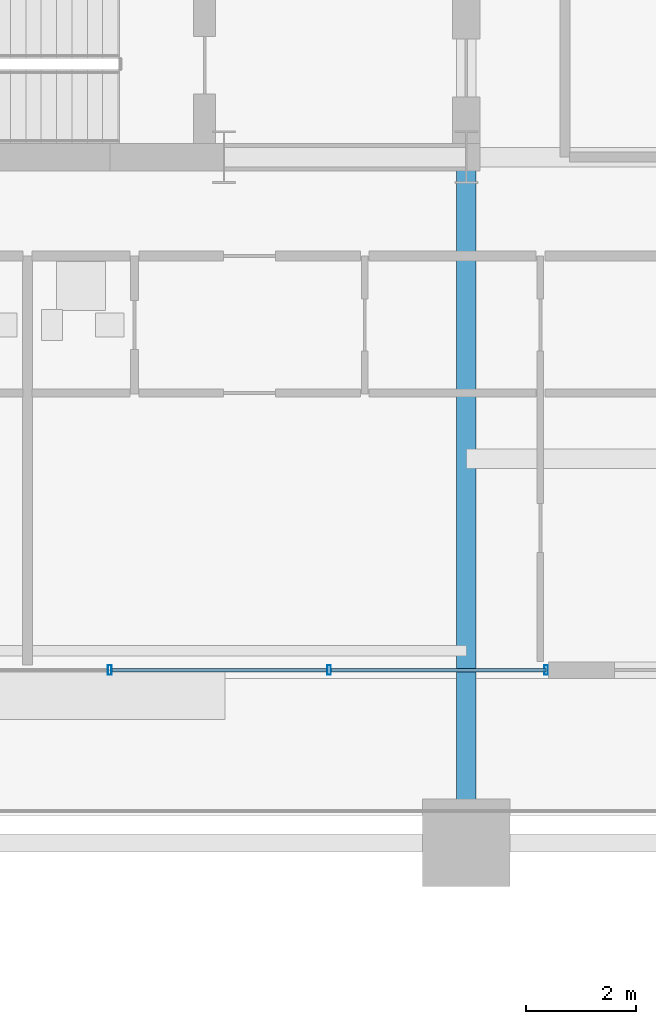
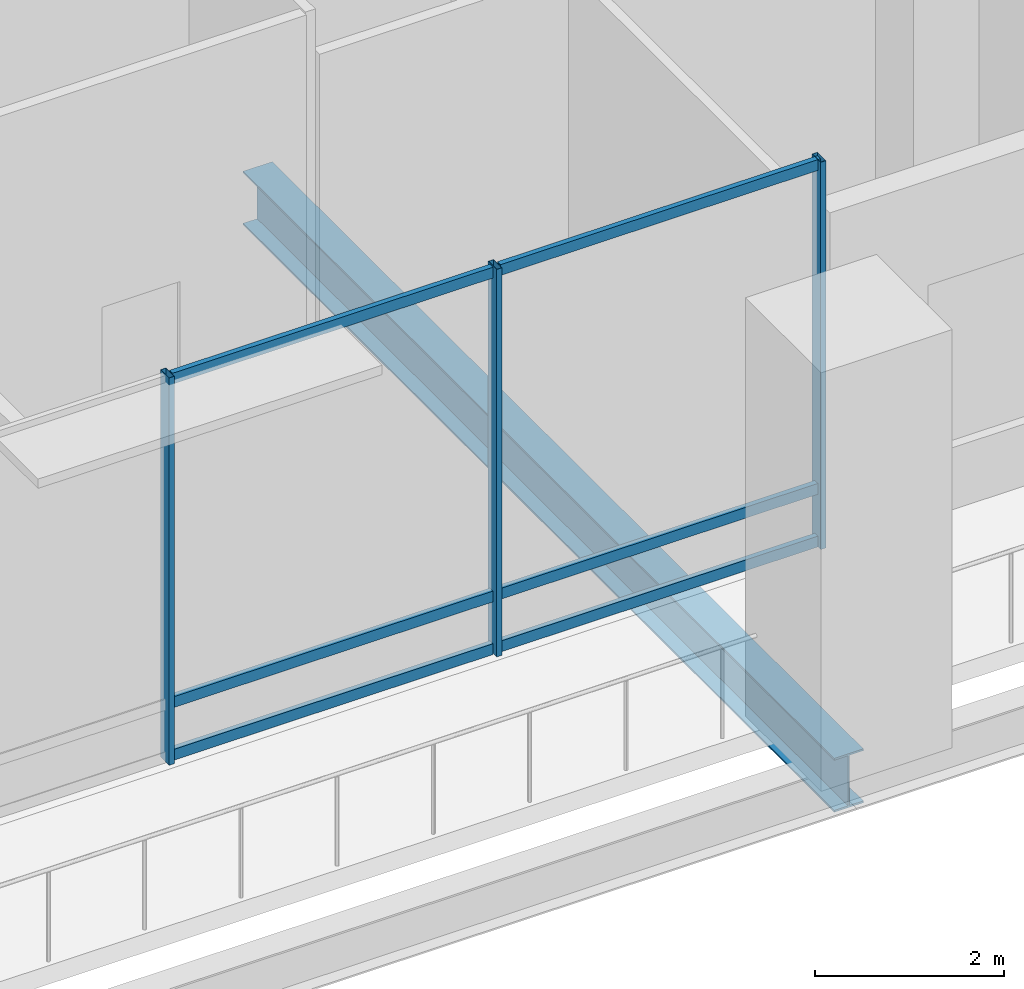
# One storey, part 6 of 25: 9 members, 1 beam, 1 element without a shape of its own.
"""IFC4 building model written with IfcOpenShell, lengths in metres."""

from ifc_helpers import new_model, si_unit, direction, frame, origin, origin_2d, place, context, subcontext, project, spatial, hollow_rectangle, i_section, extrude, material, layer, layer_set, material_profile, profile_set, type_object, element, aggregate, save


model = new_model("IFC4")

# Units and contexts
model_context = context("Model", 3, precision=1e-05, world=origin(), true_north=direction((0.0, 1.0)))
body_context = subcontext(model_context, "Body", "Model", "MODEL_VIEW")
ifc_project = project(units=[si_unit("LENGTHUNIT", "METRE"), si_unit("AREAUNIT", "SQUARE_METRE"), si_unit("VOLUMEUNIT", "CUBIC_METRE"), si_unit("PLANEANGLEUNIT", "RADIAN"), si_unit("MASSUNIT", "GRAM", prefix="KILO")], contexts=[model_context])

# Site, building, storey
site_placement = place(None, origin())
site = spatial("IfcSite", under=ifc_project, at=site_placement, CompositionType="ELEMENT")
building_placement = place(site_placement, origin())
building = spatial("IfcBuilding", under=site, at=building_placement, Name="Barlavira Tower and Art Museum", CompositionType="ELEMENT")
storey_placement = place(building_placement, frame((0.0, 0.0, 22.199951171875)))
storey = spatial("IfcBuildingStorey", under=building, at=storey_placement, Name="L04", CompositionType="ELEMENT", Elevation=22.199951171875)

# Curtain wall, members
ifc_material_1 = material(Name="Low-iron coastal laminated glass", Category="glass")
ifc_layer = layer(ifc_material_1, 0.179931640625, Name="Low-iron coastal laminated glass")
ifc_layer_set = layer_set([ifc_layer], Name="Low-iron coastal laminated glass")
curtain_wall_type = type_object("IfcCurtainWallType", Name="Pale-Metal Unitised Curtain Wall Zone 1", PredefinedType="NOTDEFINED", material=ifc_layer_set)
curtain_wall_placement = place(storey_placement, origin())
curtain_wall = element("IfcCurtainWall", 1, at=curtain_wall_placement, inside=storey, type_object=curtain_wall_type, Name="L04 Curtain Wall CW1-L04-S", PredefinedType="NOTDEFINED")
ifc_material_2 = material(Name="Pale anodised aluminium", Category="aluminium")
ifc_material_profile_1 = material_profile(ifc_material_2, hollow_rectangle(XDim=0.06494140625, YDim=0.179931640625, WallThickness=0.00390625, at=origin_2d()), Name="ALU-MULL 65x180x4")
ifc_profile_set_1 = profile_set([ifc_material_profile_1], Name="Pale anodised aluminium")
member_type_1 = type_object("IfcMemberType", Name="Curtain Wall Pale-Metal Mullion 65x180", PredefinedType="MULLION", material=ifc_profile_set_1)
member_1_placement = place(storey_placement, frame((0.0, -16.85009765625, 0.0), z_axis=(0.0, 0.0, 1.0), x_axis=(1.0, 0.0, 0.0)))
member_1 = element("IfcMember", 2, at=member_1_placement, type_object=member_type_1, Name="CW1-L04-S Mullion 2", PredefinedType="MULLION", context=body_context, shape_type="SweptSolid", body=[
    extrude(hollow_rectangle(XDim=0.06494140625, YDim=0.179931640625, WallThickness=0.00390625, at=origin_2d()), origin(), (0.0, 0.0, 1.0), 5.0),
])
member_2_placement = place(storey_placement, frame((4.0, -16.85009765625, 0.0), z_axis=(0.0, 0.0, 1.0), x_axis=(1.0, 0.0, 0.0)))
member_2 = element("IfcMember", 3, at=member_2_placement, type_object=member_type_1, Name="CW1-L04-S Mullion 3", PredefinedType="MULLION", context=body_context, shape_type="SweptSolid", body=[
    extrude(hollow_rectangle(XDim=0.06494140625, YDim=0.179931640625, WallThickness=0.00390625, at=origin_2d()), origin(), (0.0, 0.0, 1.0), 5.0),
])
member_3_placement = place(storey_placement, frame((7.955078125, -16.85009765625, 0.0), z_axis=(0.0, 0.0, 1.0), x_axis=(1.0, 0.0, 0.0)))
member_3 = element("IfcMember", 4, at=member_3_placement, type_object=member_type_1, Name="CW1-L04-S Mullion 4", PredefinedType="MULLION", context=body_context, shape_type="SweptSolid", body=[
    extrude(hollow_rectangle(XDim=0.06494140625, YDim=0.179931640625, WallThickness=0.00390625, at=origin_2d()), origin(), (0.0, 0.0, 1.0), 5.0),
])
ifc_material_profile_2 = material_profile(ifc_material_2, hollow_rectangle(XDim=0.06494140625, YDim=0.139892578125, WallThickness=0.00390625, at=origin_2d()), Name="ALU-TRAN 65x140x4")
ifc_profile_set_2 = profile_set([ifc_material_profile_2], Name="Pale anodised aluminium")
member_type_2 = type_object("IfcMemberType", Name="Curtain Wall Pale-Metal Transom 65x140", PredefinedType="USERDEFINED", material=ifc_profile_set_2)
member_4_placement = place(storey_placement, frame((0.044921875, -16.85009765625, 0.070068359375), z_axis=(1.0, 0.0, 0.0), x_axis=(0.0, 1.0, 0.0)))
member_4 = element("IfcMember", 5, at=member_4_placement, type_object=member_type_2, Name="CW1-L04-S Transom 2.1", ObjectType="TRANSOM", PredefinedType="USERDEFINED", context=body_context, shape_type="SweptSolid", body=[
    extrude(hollow_rectangle(XDim=0.06494140625, YDim=0.139892578125, WallThickness=0.00390625, at=origin_2d()), origin(), (0.0, 0.0, 1.0), 3.91015625),
])
member_5_placement = place(storey_placement, frame((0.044921875, -16.85009765625, 0.75), z_axis=(1.0, 0.0, 0.0), x_axis=(0.0, 1.0, 0.0)))
member_5 = element("IfcMember", 6, at=member_5_placement, type_object=member_type_2, Name="CW1-L04-S Transom 2.2", ObjectType="TRANSOM", PredefinedType="USERDEFINED", context=body_context, shape_type="SweptSolid", body=[
    extrude(hollow_rectangle(XDim=0.06494140625, YDim=0.139892578125, WallThickness=0.00390625, at=origin_2d()), origin(), (0.0, 0.0, 1.0), 3.91015625),
])
member_6_placement = place(storey_placement, frame((0.044921875, -16.85009765625, 4.929931640625), z_axis=(1.0, 0.0, 0.0), x_axis=(0.0, 1.0, 0.0)))
member_6 = element("IfcMember", 7, at=member_6_placement, type_object=member_type_2, Name="CW1-L04-S Transom 2.3", ObjectType="TRANSOM", PredefinedType="USERDEFINED", context=body_context, shape_type="SweptSolid", body=[
    extrude(hollow_rectangle(XDim=0.06494140625, YDim=0.139892578125, WallThickness=0.00390625, at=origin_2d()), origin(), (0.0, 0.0, 1.0), 3.91015625),
])
member_7_placement = place(storey_placement, frame((4.044921875, -16.85009765625, 0.070068359375), z_axis=(1.0, 0.0, 0.0), x_axis=(0.0, 1.0, 0.0)))
member_7 = element("IfcMember", 8, at=member_7_placement, type_object=member_type_2, Name="CW1-L04-S Transom 3.1", ObjectType="TRANSOM", PredefinedType="USERDEFINED", context=body_context, shape_type="SweptSolid", body=[
    extrude(hollow_rectangle(XDim=0.06494140625, YDim=0.139892578125, WallThickness=0.00390625, at=origin_2d()), origin(), (0.0, 0.0, 1.0), 3.91015625),
])
member_8_placement = place(storey_placement, frame((4.044921875, -16.85009765625, 0.75), z_axis=(1.0, 0.0, 0.0), x_axis=(0.0, 1.0, 0.0)))
member_8 = element("IfcMember", 9, at=member_8_placement, type_object=member_type_2, Name="CW1-L04-S Transom 3.2", ObjectType="TRANSOM", PredefinedType="USERDEFINED", context=body_context, shape_type="SweptSolid", body=[
    extrude(hollow_rectangle(XDim=0.06494140625, YDim=0.139892578125, WallThickness=0.00390625, at=origin_2d()), origin(), (0.0, 0.0, 1.0), 3.91015625),
])
member_9_placement = place(storey_placement, frame((4.044921875, -16.85009765625, 4.929931640625), z_axis=(1.0, 0.0, 0.0), x_axis=(0.0, 1.0, 0.0)))
member_9 = element("IfcMember", 10, at=member_9_placement, type_object=member_type_2, Name="CW1-L04-S Transom 3.3", ObjectType="TRANSOM", PredefinedType="USERDEFINED", context=body_context, shape_type="SweptSolid", body=[
    extrude(hollow_rectangle(XDim=0.06494140625, YDim=0.139892578125, WallThickness=0.00390625, at=origin_2d()), origin(), (0.0, 0.0, 1.0), 3.91015625),
])
aggregate(curtain_wall, [member_1, member_2, member_3, member_4, member_5, member_6, member_7, member_8, member_9])

# Beam
ifc_material_3 = material(Name="Steel S355", Category="steel")
ifc_material_profile_3 = material_profile(ifc_material_3, i_section(OverallWidth=0.35595703125, OverallDepth=0.695068359375, WebThickness=0.014892578125, FlangeThickness=0.023681640625, at=origin_2d()), Name="W690x192.0")
ifc_profile_set_3 = profile_set([ifc_material_profile_3], Name="Steel S355")
beam_type = type_object("IfcBeamType", Name="Podium Primary Girder W690x192 Steel S355", PredefinedType="BEAM", material=ifc_profile_set_3)
beam_placement = place(storey_placement, frame((6.5, -20.0, -0.62744140625), z_axis=(0.0, 1.0, 0.0), x_axis=(-1.0, 0.0, 0.0)))
element("IfcBeam", 11, at=beam_placement, inside=storey, type_object=beam_type, Name="L04 Girder R-S2", PredefinedType="BEAM", context=body_context, shape_type="SweptSolid", body=[
    extrude(i_section(OverallWidth=0.35595703125, OverallDepth=0.695068359375, WebThickness=0.014892578125, FlangeThickness=0.023681640625, at=origin_2d()), origin(), (0.0, 0.0, 1.0), 12.5),
])

save(model, "model.ifc")
